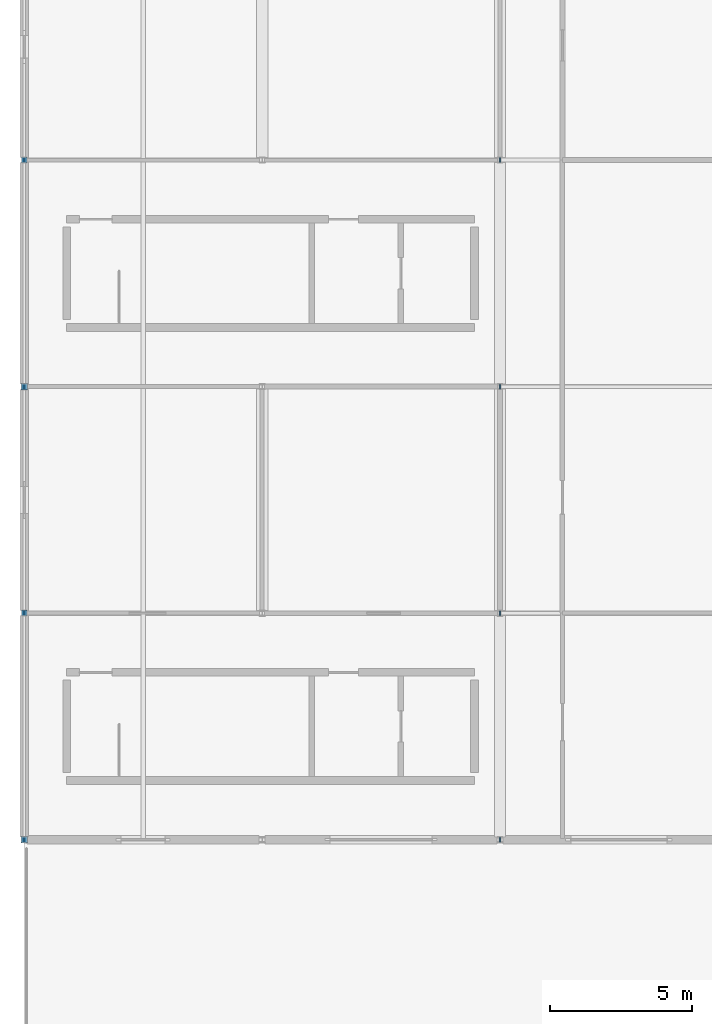
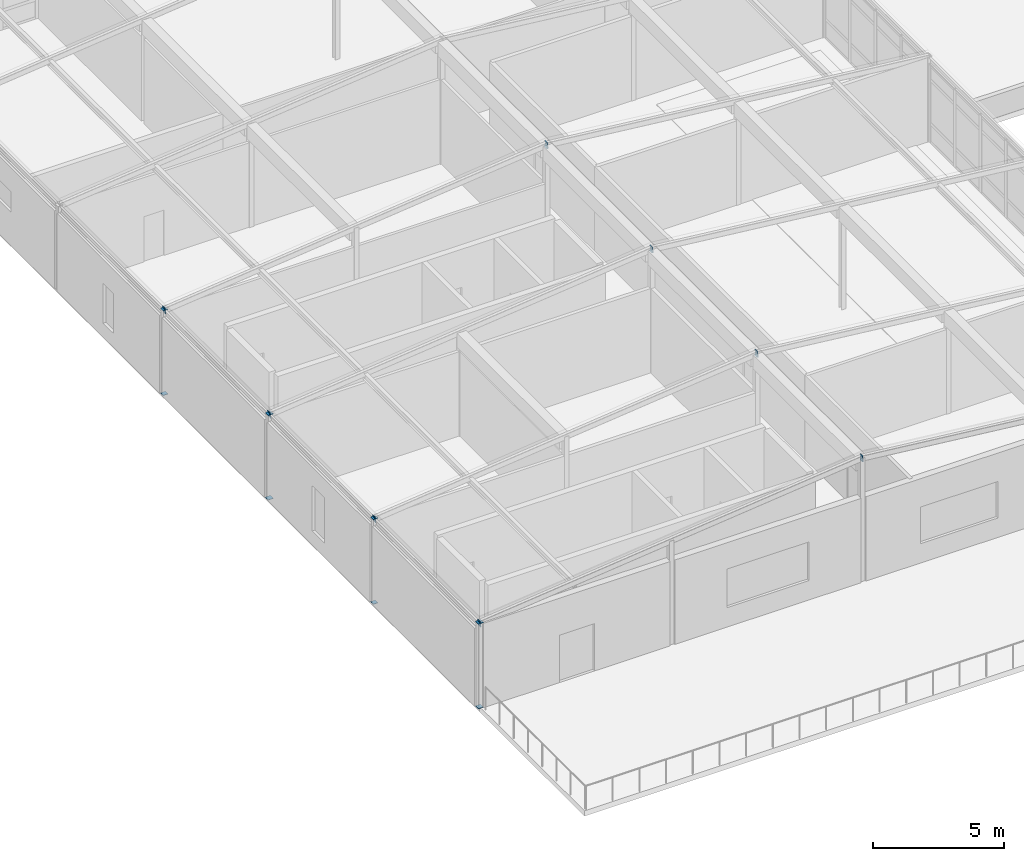
# One storey, part 21 of 25: 20 discrete accessories.
"""IFC4 building model written with IfcOpenShell, lengths in metres."""

from ifc_helpers import new_model, si_unit, direction, frame, origin, origin_2d, place, context, subcontext, project, spatial, rectangle, extrude, material, layer, layer_set, type_object, element, save


model = new_model("IFC4")

# Units and contexts
model_context = context("Model", 3, precision=1e-05, world=origin(), true_north=direction((0.0, 1.0)))
body_context = subcontext(model_context, "Body", "Model", "MODEL_VIEW")
ifc_project = project(units=[si_unit("LENGTHUNIT", "METRE"), si_unit("AREAUNIT", "SQUARE_METRE"), si_unit("VOLUMEUNIT", "CUBIC_METRE"), si_unit("PLANEANGLEUNIT", "RADIAN"), si_unit("MASSUNIT", "GRAM", prefix="KILO")], contexts=[model_context])

# Site, building, storey
site_placement = place(None, origin())
site = spatial("IfcSite", under=ifc_project, at=site_placement, CompositionType="ELEMENT")
building_placement = place(site_placement, origin())
building = spatial("IfcBuilding", under=site, at=building_placement, Name="Kranzveld Transit Interchange", CompositionType="ELEMENT")
storey_placement = place(building_placement, frame((0.0, 0.0, 21.0400390625)))
storey = spatial("IfcBuildingStorey", under=building, at=storey_placement, Name="L05", CompositionType="ELEMENT", Elevation=21.0400390625)

# Discrete accessories
ifc_material = material(Name="Steel S355JR", Category="steel")
ifc_layer = layer(ifc_material, 0.02001953125)
ifc_layer_set = layer_set([ifc_layer], Name="Steel S355JR")
discrete_accessory_type = type_object("IfcDiscreteAccessoryType", Name="Hollow Section End Cap Bracket 20 S355JR", PredefinedType="BRACKET", material=ifc_layer_set)
for number, where, z_axis, x_axis, name in (
    (1, (0.0, 64.0, 0.00390625), (0.0, 0.0, -1.0), (1.0, 0.0, 0.0), "Hollow Section End Cap C-SHS200-1"),
    (2, (0.0, 64.0, 3.916015625), (0.0, 0.0, 1.0), (1.0, 0.0, 0.0), "Hollow Section End Cap C-SHS200-2"),
):
    element("IfcDiscreteAccessory", number, at=place(storey_placement, frame(where, z_axis=z_axis, x_axis=x_axis)), inside=storey, type_object=discrete_accessory_type, Name=name, PredefinedType="BRACKET", context=body_context, shape_type="SweptSolid", body=[
        extrude(rectangle(XDim=0.22412109375, YDim=0.22412109375, at=origin_2d()), origin(), (0.0, 0.0, 1.0), 0.02001953125),
    ])
for number, where, z_axis, x_axis, name in (
    (3, (0.0, 72.0, 0.00390625), (0.0, 0.0, -1.0), (1.0, 0.0, 0.0), "Hollow Section End Cap C-SHS180-1"),
    (4, (0.0, 72.0, 3.916015625), (0.0, 0.0, 1.0), (1.0, 0.0, 0.0), "Hollow Section End Cap C-SHS180-2"),
):
    element("IfcDiscreteAccessory", number, at=place(storey_placement, frame(where, z_axis=z_axis, x_axis=x_axis)), inside=storey, type_object=discrete_accessory_type, Name=name, PredefinedType="BRACKET", context=body_context, shape_type="SweptSolid", body=[
        extrude(rectangle(XDim=0.2041015625, YDim=0.2041015625, at=origin_2d()), origin(), (0.0, 0.0, 1.0), 0.02001953125),
    ])
for number, where, z_axis, x_axis, name in (
    (5, (0.0, 80.0, 0.00390625), (0.0, 0.0, -1.0), (1.0, 0.0, 0.0), "Hollow Section End Cap C-SHS200-1"),
    (6, (0.0, 80.0, 3.916015625), (0.0, 0.0, 1.0), (1.0, 0.0, 0.0), "Hollow Section End Cap C-SHS200-2"),
):
    element("IfcDiscreteAccessory", number, at=place(storey_placement, frame(where, z_axis=z_axis, x_axis=x_axis)), inside=storey, type_object=discrete_accessory_type, Name=name, PredefinedType="BRACKET", context=body_context, shape_type="SweptSolid", body=[
        extrude(rectangle(XDim=0.22412109375, YDim=0.22412109375, at=origin_2d()), origin(), (0.0, 0.0, 1.0), 0.02001953125),
    ])
for number, where, z_axis, x_axis, name in (
    (7, (0.0, 88.0, 0.00390625), (0.0, 0.0, -1.0), (1.0, 0.0, 0.0), "Hollow Section End Cap C-SHS180-1"),
    (8, (0.0, 88.0, 3.916015625), (0.0, 0.0, 1.0), (1.0, 0.0, 0.0), "Hollow Section End Cap C-SHS180-2"),
):
    element("IfcDiscreteAccessory", number, at=place(storey_placement, frame(where, z_axis=z_axis, x_axis=x_axis)), inside=storey, type_object=discrete_accessory_type, Name=name, PredefinedType="BRACKET", context=body_context, shape_type="SweptSolid", body=[
        extrude(rectangle(XDim=0.2041015625, YDim=0.2041015625, at=origin_2d()), origin(), (0.0, 0.0, 1.0), 0.02001953125),
    ])
for number, where, z_axis, x_axis, name in (
    (9, (0.00390625, 64.0, 3.88037109375), (-0.993883734674, 0.0, -0.110431526075), (0.0, -1.0, 0.0), "Hollow Section End Cap CH-RHS250-1"),
    (10, (16.796142578125, 64.0, 5.679443359375), (0.993883734674, 0.0, 0.110431526075), (0.0, 1.0, 0.0), "Hollow Section End Cap CH-RHS250-2"),
    (11, (16.803955078125, 64.0, 5.679443359375), (-0.993883734674, 0.0, 0.110431526075), (0.0, -1.0, 0.0), "Hollow Section End Cap CH-RHS250-1"),
    (12, (0.00390625, 72.0, 3.88037109375), (-0.993883734674, 0.0, -0.110431526075), (0.0, -1.0, 0.0), "Hollow Section End Cap CH-RHS250-1"),
    (13, (16.796142578125, 72.0, 5.679443359375), (0.993883734674, 0.0, 0.110431526075), (0.0, 1.0, 0.0), "Hollow Section End Cap CH-RHS250-2"),
    (14, (16.803955078125, 72.0, 5.679443359375), (-0.993883734674, 0.0, 0.110431526075), (0.0, -1.0, 0.0), "Hollow Section End Cap CH-RHS250-1"),
    (15, (0.00390625, 80.0, 3.88037109375), (-0.993883734674, 0.0, -0.110431526075), (0.0, -1.0, 0.0), "Hollow Section End Cap CH-RHS250-1"),
    (16, (16.796142578125, 80.0, 5.679443359375), (0.993883734674, 0.0, 0.110431526075), (0.0, 1.0, 0.0), "Hollow Section End Cap CH-RHS250-2"),
    (17, (16.803955078125, 80.0, 5.679443359375), (-0.993883734674, 0.0, 0.110431526075), (0.0, -1.0, 0.0), "Hollow Section End Cap CH-RHS250-1"),
    (18, (0.00390625, 88.0, 3.88037109375), (-0.993883734674, 0.0, -0.110431526075), (0.0, -1.0, 0.0), "Hollow Section End Cap CH-RHS250-1"),
    (19, (16.796142578125, 88.0, 5.679443359375), (0.993883734674, 0.0, 0.110431526075), (0.0, 1.0, 0.0), "Hollow Section End Cap CH-RHS250-2"),
    (20, (16.803955078125, 88.0, 5.679443359375), (-0.993883734674, 0.0, 0.110431526075), (0.0, -1.0, 0.0), "Hollow Section End Cap CH-RHS250-1"),
):
    element("IfcDiscreteAccessory", number, at=place(storey_placement, frame(where, z_axis=z_axis, x_axis=x_axis)), inside=storey, type_object=discrete_accessory_type, Name=name, PredefinedType="BRACKET", context=body_context, shape_type="SweptSolid", body=[
        extrude(rectangle(XDim=0.174072265625, YDim=0.27392578125, at=origin_2d()), origin(), (0.0, 0.0, 1.0), 0.019775390625),
    ])

save(model, "model.ifc")
